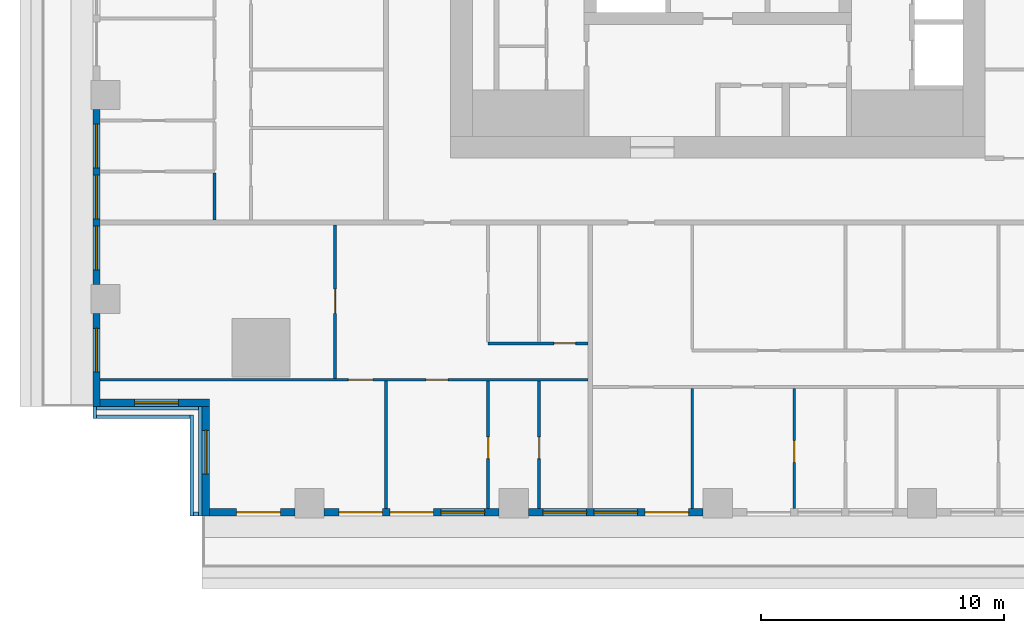
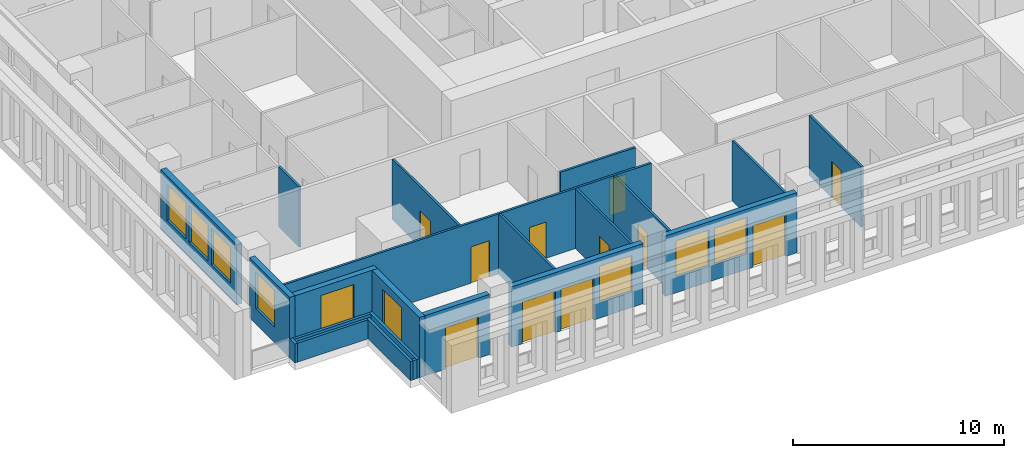
# One storey, part 2 of 17: 22 walls, 11 doors, 9 windows, 20 openings.
"""IFC4 building model written with IfcOpenShell, lengths in metres."""

from ifc_helpers import new_model, si_unit, direction, frame, frame_2d, origin, place, context, subcontext, project, spatial, rectangle, extrude, material, layer, layer_set, type_object, element, fill, save


model = new_model("IFC4")

# Units and contexts
model_context = context("Model", 3, precision=1e-05, world=origin(), true_north=direction((0.0, 1.0)))
body_context = subcontext(model_context, "Body", "Model", "MODEL_VIEW")
ifc_project = project(units=[si_unit("LENGTHUNIT", "METRE"), si_unit("AREAUNIT", "SQUARE_METRE"), si_unit("VOLUMEUNIT", "CUBIC_METRE"), si_unit("PLANEANGLEUNIT", "RADIAN"), si_unit("MASSUNIT", "GRAM", prefix="KILO")], contexts=[model_context])

# Site, building, storey
site_placement = place(None, origin())
site = spatial("IfcSite", under=ifc_project, at=site_placement, CompositionType="ELEMENT")
building_placement = place(site_placement, origin())
building = spatial("IfcBuilding", under=site, at=building_placement, Name="Khepri Terraces", CompositionType="ELEMENT")
storey_placement = place(building_placement, frame((0.0, 0.0, 188.39990234375)))
storey = spatial("IfcBuildingStorey", under=building, at=storey_placement, Name="L44", CompositionType="ELEMENT", Elevation=188.39990234375)

# Wall, openings, windows
ifc_material_1 = material(Name="Precast concrete C50/60 warm stone", Category="masonry")
ifc_layer_1 = layer(ifc_material_1, 0.300048828125, Name="Precast concrete C50/60 warm stone", Category="masonry")
ifc_layer_set_1 = layer_set([ifc_layer_1], Name="Precast concrete C50/60 warm stone")
wall_type_1 = type_object("IfcWallType", Name="WL-EXT-PRECAST-300", PredefinedType="STANDARD", material=ifc_layer_set_1)
wall_1_placement = place(storey_placement, frame((-25.570068359375, -9.0, 0.0), z_axis=(0.0, 0.0, 1.0), x_axis=(0.0, -1.0, 0.0)))
wall_1 = element("IfcWall", 1, at=wall_1_placement, inside=storey, type_object=wall_type_1, Name="External wall L44 W", PredefinedType="STANDARD", context=body_context, shape_type="SweptSolid", body=[
    extrude(rectangle(XDim=7.199951171875, YDim=0.300048828125, at=frame_2d((3.60009765625, 0.0))), origin(), (0.0, 0.0, 1.0), 3.47998046875),
])
opening_1_placement = place(wall_1_placement, frame((0.60009765625, 0.0, 0.89990234375)))
opening_1 = element("IfcOpeningElement", 2, at=opening_1_placement, cuts=wall_1, Name="Opening W1", PredefinedType="OPENING", context=body_context, shape_type="SweptSolid", body=[
    extrude(rectangle(XDim=1.800048828125, YDim=2.10009765625, at=frame_2d((0.89990234375, 1.050048828125))), frame((0.0, 0.16015625, 0.0), z_axis=(0.0, -1.0, 0.0), x_axis=(1.0, 0.0, 0.0)), (0.0, 0.0, 1.0), 0.320068359375),
])
opening_2_placement = place(wall_1_placement, frame((2.699951171875, 0.0, 0.89990234375)))
opening_2 = element("IfcOpeningElement", 3, at=opening_2_placement, cuts=wall_1, Name="Opening W1", PredefinedType="OPENING", context=body_context, shape_type="SweptSolid", body=[
    extrude(rectangle(XDim=1.800048828125, YDim=2.10009765625, at=frame_2d((0.89990234375, 1.050048828125))), frame((0.0, 0.16015625, 0.0), z_axis=(0.0, -1.0, 0.0), x_axis=(1.0, 0.0, 0.0)), (0.0, 0.0, 1.0), 0.320068359375),
])
opening_3_placement = place(wall_1_placement, frame((4.800048828125, 0.0, 0.89990234375)))
opening_3 = element("IfcOpeningElement", 4, at=opening_3_placement, cuts=wall_1, Name="Opening W1", PredefinedType="OPENING", context=body_context, shape_type="SweptSolid", body=[
    extrude(rectangle(XDim=1.800048828125, YDim=2.10009765625, at=frame_2d((0.89990234375, 1.050048828125))), frame((0.0, 0.16015625, 0.0), z_axis=(0.0, -1.0, 0.0), x_axis=(1.0, 0.0, 0.0)), (0.0, 0.0, 1.0), 0.320068359375),
])
ifc_material_2 = material(Name="Clear glass", Category="glass")
window_type = type_object("IfcWindowType", Name="WIN-RES-1800x2100", PartitioningType="SINGLE_PANEL", PredefinedType="WINDOW", material=ifc_material_2)
window_1_placement = place(opening_1_placement, origin())
window_1 = element("IfcWindow", 5, at=window_1_placement, inside=storey, type_object=window_type, Name="Window L44 W", OverallHeight=2.10009765625, OverallWidth=1.800048828125, PartitioningType="SINGLE_PANEL", PredefinedType="WINDOW", context=body_context, shape_type="SweptSolid", body=[
    extrude(rectangle(XDim=1.800048828125, YDim=2.10009765625, at=frame_2d((0.89990234375, 1.050048828125))), frame((0.0, 0.030029296875, 0.0), z_axis=(0.0, -1.0, 0.0), x_axis=(1.0, 0.0, 0.0)), (0.0, 0.0, 1.0), 0.06005859375),
])
fill(opening_1, window_1)
window_2_placement = place(opening_2_placement, origin())
window_2 = element("IfcWindow", 6, at=window_2_placement, inside=storey, type_object=window_type, Name="Window L44 W", OverallHeight=2.10009765625, OverallWidth=1.800048828125, PartitioningType="SINGLE_PANEL", PredefinedType="WINDOW", context=body_context, shape_type="SweptSolid", body=[
    extrude(rectangle(XDim=1.800048828125, YDim=2.10009765625, at=frame_2d((0.89990234375, 1.050048828125))), frame((0.0, 0.030029296875, 0.0), z_axis=(0.0, -1.0, 0.0), x_axis=(1.0, 0.0, 0.0)), (0.0, 0.0, 1.0), 0.06005859375),
])
fill(opening_2, window_2)
window_3_placement = place(opening_3_placement, origin())
window_3 = element("IfcWindow", 7, at=window_3_placement, inside=storey, type_object=window_type, Name="Window L44 W", OverallHeight=2.10009765625, OverallWidth=1.800048828125, PartitioningType="SINGLE_PANEL", PredefinedType="WINDOW", context=body_context, shape_type="SweptSolid", body=[
    extrude(rectangle(XDim=1.800048828125, YDim=2.10009765625, at=frame_2d((0.89990234375, 1.050048828125))), frame((0.0, 0.030029296875, 0.0), z_axis=(0.0, -1.0, 0.0), x_axis=(1.0, 0.0, 0.0)), (0.0, 0.0, 1.0), 0.06005859375),
])
fill(opening_3, window_3)

# Wall, opening, window
wall_2_placement = place(storey_placement, frame((-25.570068359375, -17.39990234375, 0.0), z_axis=(0.0, 0.0, 1.0), x_axis=(0.0, -1.0, 0.0)))
wall_2 = element("IfcWall", 8, at=wall_2_placement, inside=storey, type_object=wall_type_1, Name="External wall L44 W", PredefinedType="STANDARD", context=body_context, shape_type="SweptSolid", body=[
    extrude(rectangle(XDim=3.820068359375, YDim=0.300048828125, at=frame_2d((1.91015625, 0.0))), origin(), (0.0, 0.0, 1.0), 3.47998046875),
])
opening_4_placement = place(wall_2_placement, frame((0.60009765625, 0.0, 0.89990234375)))
opening_4 = element("IfcOpeningElement", 9, at=opening_4_placement, cuts=wall_2, Name="Opening W1", PredefinedType="OPENING", context=body_context, shape_type="SweptSolid", body=[
    extrude(rectangle(XDim=1.800048828125, YDim=2.10009765625, at=frame_2d((0.89990234375, 1.050048828125))), frame((0.0, 0.16015625, 0.0), z_axis=(0.0, -1.0, 0.0), x_axis=(1.0, 0.0, 0.0)), (0.0, 0.0, 1.0), 0.320068359375),
])
window_4_placement = place(opening_4_placement, origin())
window_4 = element("IfcWindow", 10, at=window_4_placement, inside=storey, type_object=window_type, Name="Window L44 W", OverallHeight=2.10009765625, OverallWidth=1.800048828125, PartitioningType="SINGLE_PANEL", PredefinedType="WINDOW", context=body_context, shape_type="SweptSolid", body=[
    extrude(rectangle(XDim=1.800048828125, YDim=2.10009765625, at=frame_2d((0.89990234375, 1.050048828125))), frame((0.0, 0.030029296875, 0.0), z_axis=(0.0, -1.0, 0.0), x_axis=(1.0, 0.0, 0.0)), (0.0, 0.0, 1.0), 0.06005859375),
])
fill(opening_4, window_4)

wall_3_placement = place(storey_placement, frame((-25.419921875, -21.070068359375, 0.0), z_axis=(0.0, 0.0, 1.0), x_axis=(1.0, 0.0, 0.0)))
wall_3 = element("IfcWall", 11, at=wall_3_placement, inside=storey, type_object=wall_type_1, Name="External wall L44 S", PredefinedType="STANDARD", context=body_context, shape_type="SweptSolid", body=[
    extrude(rectangle(XDim=4.5, YDim=0.300048828125, at=frame_2d((2.25, 0.0))), origin(), (0.0, 0.0, 1.0), 3.47998046875),
])
opening_5_placement = place(wall_3_placement, frame((1.419921875, 0.0, 0.89990234375)))
opening_5 = element("IfcOpeningElement", 12, at=opening_5_placement, cuts=wall_3, Name="Opening W1", PredefinedType="OPENING", context=body_context, shape_type="SweptSolid", body=[
    extrude(rectangle(XDim=1.800048828125, YDim=2.10009765625, at=frame_2d((0.89990234375, 1.050048828125))), frame((0.0, 0.16015625, 0.0), z_axis=(0.0, -1.0, 0.0), x_axis=(1.0, 0.0, 0.0)), (0.0, 0.0, 1.0), 0.320068359375),
])
window_5_placement = place(opening_5_placement, origin())
window_5 = element("IfcWindow", 13, at=window_5_placement, inside=storey, type_object=window_type, Name="Window L44 S", OverallHeight=2.10009765625, OverallWidth=1.800048828125, PartitioningType="SINGLE_PANEL", PredefinedType="WINDOW", context=body_context, shape_type="SweptSolid", body=[
    extrude(rectangle(XDim=1.800048828125, YDim=2.10009765625, at=frame_2d((0.89990234375, 1.050048828125))), frame((0.0, 0.030029296875, 0.0), z_axis=(0.0, -1.0, 0.0), x_axis=(1.0, 0.0, 0.0)), (0.0, 0.0, 1.0), 0.06005859375),
])
fill(opening_5, window_5)

wall_4_placement = place(storey_placement, frame((-21.070068359375, -21.219970703125, 0.0), z_axis=(0.0, 0.0, 1.0), x_axis=(0.0, -1.0, 0.0)))
wall_4 = element("IfcWall", 14, at=wall_4_placement, inside=storey, type_object=wall_type_1, Name="External wall L44 W", PredefinedType="STANDARD", context=body_context, shape_type="SweptSolid", body=[
    extrude(rectangle(XDim=4.5, YDim=0.300048828125, at=frame_2d((2.25, 0.0))), origin(), (0.0, 0.0, 1.0), 3.47998046875),
])
opening_6_placement = place(wall_4_placement, frame((0.97998046875, 0.0, 0.89990234375)))
opening_6 = element("IfcOpeningElement", 15, at=opening_6_placement, cuts=wall_4, Name="Opening W1", PredefinedType="OPENING", context=body_context, shape_type="SweptSolid", body=[
    extrude(rectangle(XDim=1.800048828125, YDim=2.10009765625, at=frame_2d((0.89990234375, 1.050048828125))), frame((0.0, 0.16015625, 0.0), z_axis=(0.0, -1.0, 0.0), x_axis=(1.0, 0.0, 0.0)), (0.0, 0.0, 1.0), 0.320068359375),
])
window_6_placement = place(opening_6_placement, origin())
window_6 = element("IfcWindow", 16, at=window_6_placement, inside=storey, type_object=window_type, Name="Window L44 W", OverallHeight=2.10009765625, OverallWidth=1.800048828125, PartitioningType="SINGLE_PANEL", PredefinedType="WINDOW", context=body_context, shape_type="SweptSolid", body=[
    extrude(rectangle(XDim=1.800048828125, YDim=2.10009765625, at=frame_2d((0.89990234375, 1.050048828125))), frame((0.0, 0.030029296875, 0.0), z_axis=(0.0, -1.0, 0.0), x_axis=(1.0, 0.0, 0.0)), (0.0, 0.0, 1.0), 0.06005859375),
])
fill(opening_6, window_6)

# Wall, opening, door
wall_5_placement = place(storey_placement, frame((-20.919921875, -25.570068359375, 0.0), z_axis=(0.0, 0.0, 1.0), x_axis=(1.0, 0.0, 0.0)))
wall_5 = element("IfcWall", 17, at=wall_5_placement, inside=storey, type_object=wall_type_1, Name="External wall L44 S", PredefinedType="STANDARD", context=body_context, shape_type="SweptSolid", body=[
    extrude(rectangle(XDim=3.52001953125, YDim=0.300048828125, at=frame_2d((1.760009765625, 0.0))), origin(), (0.0, 0.0, 1.0), 3.47998046875),
])
opening_7_placement = place(wall_5_placement, frame((1.1201171875, 0.0, 0.0)))
opening_7 = element("IfcOpeningElement", 18, at=opening_7_placement, cuts=wall_5, Name="Opening ED-L44-17", PredefinedType="OPENING", context=body_context, shape_type="SweptSolid", body=[
    extrude(rectangle(XDim=1.800048828125, YDim=2.39990234375, at=frame_2d((0.89990234375, 1.199951171875))), frame((0.0, 0.16015625, 0.0), z_axis=(0.0, -1.0, 0.0), x_axis=(1.0, 0.0, 0.0)), (0.0, 0.0, 1.0), 0.320068359375),
])
ifc_material_3 = material(Name="Anodised aluminium bronze glazed door", Category="aluminium")
door_type_1 = type_object("IfcDoorType", Name="DR-BAL-SLIDE-1800x2400", OperationType="NOTDEFINED", PredefinedType="DOOR", material=ifc_material_3)
door_1_placement = place(opening_7_placement, origin())
door_1 = element("IfcDoor", 19, at=door_1_placement, inside=storey, type_object=door_type_1, Name="Balcony door L44 S", OperationType="SLIDING_TO_RIGHT", OverallHeight=2.39990234375, OverallWidth=1.800048828125, PredefinedType="DOOR", context=body_context, shape_type="SweptSolid", body=[
    extrude(rectangle(XDim=1.800048828125, YDim=2.39990234375, at=frame_2d((0.89990234375, 1.199951171875))), frame((0.0, 0.02490234375, 0.0), z_axis=(0.0, -1.0, 0.0), x_axis=(1.0, 0.0, 0.0)), (0.0, 0.0, 1.0), 0.050048828125),
])
fill(opening_7, door_1)

# Wall, openings, doors, window
wall_6_placement = place(storey_placement, frame((-16.199951171875, -25.570068359375, 0.0), z_axis=(0.0, 0.0, 1.0), x_axis=(1.0, 0.0, 0.0)))
wall_6 = element("IfcWall", 20, at=wall_6_placement, inside=storey, type_object=wall_type_1, Name="External wall L44 S", PredefinedType="STANDARD", context=body_context, shape_type="SweptSolid", body=[
    extrude(rectangle(XDim=7.199951171875, YDim=0.300048828125, at=frame_2d((3.60009765625, 0.0))), origin(), (0.0, 0.0, 1.0), 3.47998046875),
])
opening_8_placement = place(wall_6_placement, frame((0.60009765625, 0.0, 0.0)))
opening_8 = element("IfcOpeningElement", 21, at=opening_8_placement, cuts=wall_6, Name="Opening ED-L44-18", PredefinedType="OPENING", context=body_context, shape_type="SweptSolid", body=[
    extrude(rectangle(XDim=1.800048828125, YDim=2.39990234375, at=frame_2d((0.89990234375, 1.199951171875))), frame((0.0, 0.16015625, 0.0), z_axis=(0.0, -1.0, 0.0), x_axis=(1.0, 0.0, 0.0)), (0.0, 0.0, 1.0), 0.320068359375),
])
opening_9_placement = place(wall_6_placement, frame((2.699951171875, 0.0, 0.0)))
opening_9 = element("IfcOpeningElement", 22, at=opening_9_placement, cuts=wall_6, Name="Opening ED-L44-19", PredefinedType="OPENING", context=body_context, shape_type="SweptSolid", body=[
    extrude(rectangle(XDim=1.800048828125, YDim=2.39990234375, at=frame_2d((0.89990234375, 1.199951171875))), frame((0.0, 0.16015625, 0.0), z_axis=(0.0, -1.0, 0.0), x_axis=(1.0, 0.0, 0.0)), (0.0, 0.0, 1.0), 0.320068359375),
])
opening_10_placement = place(wall_6_placement, frame((4.800048828125, 0.0, 0.89990234375)))
opening_10 = element("IfcOpeningElement", 23, at=opening_10_placement, cuts=wall_6, Name="Opening W1", PredefinedType="OPENING", context=body_context, shape_type="SweptSolid", body=[
    extrude(rectangle(XDim=1.800048828125, YDim=2.10009765625, at=frame_2d((0.89990234375, 1.050048828125))), frame((0.0, 0.16015625, 0.0), z_axis=(0.0, -1.0, 0.0), x_axis=(1.0, 0.0, 0.0)), (0.0, 0.0, 1.0), 0.320068359375),
])
door_2_placement = place(opening_8_placement, origin())
door_2 = element("IfcDoor", 24, at=door_2_placement, inside=storey, type_object=door_type_1, Name="Balcony door L44 S", OperationType="SLIDING_TO_LEFT", OverallHeight=2.39990234375, OverallWidth=1.800048828125, PredefinedType="DOOR", context=body_context, shape_type="SweptSolid", body=[
    extrude(rectangle(XDim=1.800048828125, YDim=2.39990234375, at=frame_2d((0.89990234375, 1.199951171875))), frame((0.0, 0.02490234375, 0.0), z_axis=(0.0, -1.0, 0.0), x_axis=(1.0, 0.0, 0.0)), (0.0, 0.0, 1.0), 0.050048828125),
])
fill(opening_8, door_2)
door_3_placement = place(opening_9_placement, origin())
door_3 = element("IfcDoor", 25, at=door_3_placement, inside=storey, type_object=door_type_1, Name="Balcony door L44 S", OperationType="SLIDING_TO_RIGHT", OverallHeight=2.39990234375, OverallWidth=1.800048828125, PredefinedType="DOOR", context=body_context, shape_type="SweptSolid", body=[
    extrude(rectangle(XDim=1.800048828125, YDim=2.39990234375, at=frame_2d((0.89990234375, 1.199951171875))), frame((0.0, 0.02490234375, 0.0), z_axis=(0.0, -1.0, 0.0), x_axis=(1.0, 0.0, 0.0)), (0.0, 0.0, 1.0), 0.050048828125),
])
fill(opening_9, door_3)
window_7_placement = place(opening_10_placement, origin())
window_7 = element("IfcWindow", 26, at=window_7_placement, inside=storey, type_object=window_type, Name="Window L44 S", OverallHeight=2.10009765625, OverallWidth=1.800048828125, PartitioningType="SINGLE_PANEL", PredefinedType="WINDOW", context=body_context, shape_type="SweptSolid", body=[
    extrude(rectangle(XDim=1.800048828125, YDim=2.10009765625, at=frame_2d((0.89990234375, 1.050048828125))), frame((0.0, 0.030029296875, 0.0), z_axis=(0.0, -1.0, 0.0), x_axis=(1.0, 0.0, 0.0)), (0.0, 0.0, 1.0), 0.06005859375),
])
fill(opening_10, window_7)

# Wall, openings, door, windows
wall_7_placement = place(storey_placement, frame((-7.800048828125, -25.570068359375, 0.0), z_axis=(0.0, 0.0, 1.0), x_axis=(1.0, 0.0, 0.0)))
wall_7 = element("IfcWall", 27, at=wall_7_placement, inside=storey, type_object=wall_type_1, Name="External wall L44 S", PredefinedType="STANDARD", context=body_context, shape_type="SweptSolid", body=[
    extrude(rectangle(XDim=7.199951171875, YDim=0.300048828125, at=frame_2d((3.60009765625, 0.0))), origin(), (0.0, 0.0, 1.0), 3.47998046875),
])
opening_11_placement = place(wall_7_placement, frame((0.60009765625, 0.0, 0.89990234375)))
opening_11 = element("IfcOpeningElement", 28, at=opening_11_placement, cuts=wall_7, Name="Opening W1", PredefinedType="OPENING", context=body_context, shape_type="SweptSolid", body=[
    extrude(rectangle(XDim=1.800048828125, YDim=2.10009765625, at=frame_2d((0.89990234375, 1.050048828125))), frame((0.0, 0.16015625, 0.0), z_axis=(0.0, -1.0, 0.0), x_axis=(1.0, 0.0, 0.0)), (0.0, 0.0, 1.0), 0.320068359375),
])
opening_12_placement = place(wall_7_placement, frame((2.699951171875, 0.0, 0.89990234375)))
opening_12 = element("IfcOpeningElement", 29, at=opening_12_placement, cuts=wall_7, Name="Opening W1", PredefinedType="OPENING", context=body_context, shape_type="SweptSolid", body=[
    extrude(rectangle(XDim=1.800048828125, YDim=2.10009765625, at=frame_2d((0.89990234375, 1.050048828125))), frame((0.0, 0.16015625, 0.0), z_axis=(0.0, -1.0, 0.0), x_axis=(1.0, 0.0, 0.0)), (0.0, 0.0, 1.0), 0.320068359375),
])
opening_13_placement = place(wall_7_placement, frame((4.800048828125, 0.0, 0.0)))
opening_13 = element("IfcOpeningElement", 30, at=opening_13_placement, cuts=wall_7, Name="Opening ED-L44-20", PredefinedType="OPENING", context=body_context, shape_type="SweptSolid", body=[
    extrude(rectangle(XDim=1.800048828125, YDim=2.39990234375, at=frame_2d((0.89990234375, 1.199951171875))), frame((0.0, 0.16015625, 0.0), z_axis=(0.0, -1.0, 0.0), x_axis=(1.0, 0.0, 0.0)), (0.0, 0.0, 1.0), 0.320068359375),
])
door_4_placement = place(opening_13_placement, origin())
door_4 = element("IfcDoor", 31, at=door_4_placement, inside=storey, type_object=door_type_1, Name="Balcony door L44 S", OperationType="SLIDING_TO_RIGHT", OverallHeight=2.39990234375, OverallWidth=1.800048828125, PredefinedType="DOOR", context=body_context, shape_type="SweptSolid", body=[
    extrude(rectangle(XDim=1.800048828125, YDim=2.39990234375, at=frame_2d((0.89990234375, 1.199951171875))), frame((0.0, 0.02490234375, 0.0), z_axis=(0.0, -1.0, 0.0), x_axis=(1.0, 0.0, 0.0)), (0.0, 0.0, 1.0), 0.050048828125),
])
fill(opening_13, door_4)
window_8_placement = place(opening_11_placement, origin())
window_8 = element("IfcWindow", 32, at=window_8_placement, inside=storey, type_object=window_type, Name="Window L44 S", OverallHeight=2.10009765625, OverallWidth=1.800048828125, PartitioningType="SINGLE_PANEL", PredefinedType="WINDOW", context=body_context, shape_type="SweptSolid", body=[
    extrude(rectangle(XDim=1.800048828125, YDim=2.10009765625, at=frame_2d((0.89990234375, 1.050048828125))), frame((0.0, 0.030029296875, 0.0), z_axis=(0.0, -1.0, 0.0), x_axis=(1.0, 0.0, 0.0)), (0.0, 0.0, 1.0), 0.06005859375),
])
fill(opening_11, window_8)
window_9_placement = place(opening_12_placement, origin())
window_9 = element("IfcWindow", 33, at=window_9_placement, inside=storey, type_object=window_type, Name="Window L44 S", OverallHeight=2.10009765625, OverallWidth=1.800048828125, PartitioningType="SINGLE_PANEL", PredefinedType="WINDOW", context=body_context, shape_type="SweptSolid", body=[
    extrude(rectangle(XDim=1.800048828125, YDim=2.10009765625, at=frame_2d((0.89990234375, 1.050048828125))), frame((0.0, 0.030029296875, 0.0), z_axis=(0.0, -1.0, 0.0), x_axis=(1.0, 0.0, 0.0)), (0.0, 0.0, 1.0), 0.06005859375),
])
fill(opening_12, window_9)

# Walls
ifc_layer_2 = layer(ifc_material_1, 0.14990234375, Name="Precast concrete C50/60 warm stone", Category="masonry")
ifc_layer_set_2 = layer_set([ifc_layer_2], Name="Precast concrete C50/60 warm stone")
wall_type_2 = type_object("IfcWallType", Name="WL-PARAPET-150", PredefinedType="PARAPET", material=ifc_layer_set_2)
wall_8_placement = place(storey_placement, frame((-25.64501953125, -21.719970703125, 0.0), z_axis=(0.0, 0.0, 1.0), x_axis=(0.0, 1.0, 0.0)))
element("IfcWall", 34, at=wall_8_placement, inside=storey, type_object=wall_type_2, Name="Ledge parapet L44", PredefinedType="PARAPET", context=body_context, shape_type="SweptSolid", body=[
    extrude(rectangle(XDim=0.5, YDim=0.14990234375, at=frame_2d((0.25, 0.0))), origin(), (0.0, 0.0, 1.0), 1.10009765625),
])
wall_9_placement = place(storey_placement, frame((-25.570068359375, -21.64501953125, 0.0), z_axis=(0.0, 0.0, 1.0), x_axis=(1.0, 0.0, 0.0)))
element("IfcWall", 35, at=wall_9_placement, inside=storey, type_object=wall_type_2, Name="Ledge parapet L44", PredefinedType="PARAPET", context=body_context, shape_type="SweptSolid", body=[
    extrude(rectangle(XDim=3.85009765625, YDim=0.14990234375, at=frame_2d((1.925048828125, 0.0))), origin(), (0.0, 0.0, 1.0), 1.10009765625),
])
wall_10_placement = place(storey_placement, frame((-25.570068359375, -21.294921875, 0.0), z_axis=(0.0, 0.0, 1.0), x_axis=(1.0, 0.0, 0.0)))
element("IfcWall", 36, at=wall_10_placement, inside=storey, type_object=wall_type_2, Name="Ledge parapet L44", PredefinedType="PARAPET", context=body_context, shape_type="SweptSolid", body=[
    extrude(rectangle(XDim=4.199951171875, YDim=0.14990234375, at=frame_2d((2.10009765625, 0.0))), origin(), (0.0, 0.0, 1.0), 1.10009765625),
])
wall_11_placement = place(storey_placement, frame((-21.64501953125, -25.719970703125, 0.0), z_axis=(0.0, 0.0, 1.0), x_axis=(0.0, 1.0, 0.0)))
element("IfcWall", 37, at=wall_11_placement, inside=storey, type_object=wall_type_2, Name="Ledge parapet L44", PredefinedType="PARAPET", context=body_context, shape_type="SweptSolid", body=[
    extrude(rectangle(XDim=4.14990234375, YDim=0.14990234375, at=frame_2d((2.074951171875, 0.0))), origin(), (0.0, 0.0, 1.0), 1.10009765625),
])
wall_12_placement = place(storey_placement, frame((-21.570068359375, -25.64501953125, 0.0), z_axis=(0.0, 0.0, 1.0), x_axis=(1.0, 0.0, 0.0)))
element("IfcWall", 38, at=wall_12_placement, inside=storey, type_object=wall_type_2, Name="Ledge parapet L44", PredefinedType="PARAPET", context=body_context, shape_type="SweptSolid", body=[
    extrude(rectangle(XDim=0.199951171875, YDim=0.14990234375, at=frame_2d((0.10009765625, 0.0))), origin(), (0.0, 0.0, 1.0), 1.10009765625),
])
wall_13_placement = place(storey_placement, frame((-21.294921875, -25.719970703125, 0.0), z_axis=(0.0, 0.0, 1.0), x_axis=(0.0, 1.0, 0.0)))
element("IfcWall", 39, at=wall_13_placement, inside=storey, type_object=wall_type_2, Name="Ledge parapet L44", PredefinedType="PARAPET", context=body_context, shape_type="SweptSolid", body=[
    extrude(rectangle(XDim=4.5, YDim=0.14990234375, at=frame_2d((2.25, 0.0))), origin(), (0.0, 0.0, 1.0), 1.10009765625),
])
ifc_material_4 = material(Name="Gypsum plasterboard partition")
ifc_layer_3 = layer(ifc_material_4, 0.1201171875, Name="Gypsum plasterboard partition")
ifc_layer_set_3 = layer_set([ifc_layer_3], Name="Gypsum plasterboard partition")
wall_type_3 = type_object("IfcWallType", Name="WL-PART-120", PredefinedType="PARTITIONING", material=ifc_layer_set_3)
wall_14_placement = place(storey_placement, frame((-13.64990234375, -25.419921875, 0.0), z_axis=(0.0, 0.0, 1.0), x_axis=(0.0, 1.0, 0.0)))
element("IfcWall", 40, at=wall_14_placement, inside=storey, type_object=wall_type_3, Name="Partition P-001 L44", PredefinedType="PARTITIONING", context=body_context, shape_type="SweptSolid", body=[
    extrude(rectangle(XDim=5.239990234375, YDim=0.1201171875, at=frame_2d((2.6201171875, 0.0))), origin(), (0.0, 0.0, 1.0), 3.47998046875),
])

# Wall, opening, door
wall_15_placement = place(storey_placement, frame((-9.449951171875, -25.419921875, 0.0), z_axis=(0.0, 0.0, 1.0), x_axis=(0.0, 1.0, 0.0)))
wall_15 = element("IfcWall", 41, at=wall_15_placement, inside=storey, type_object=wall_type_3, Name="Partition P-002 L44", PredefinedType="PARTITIONING", context=body_context, shape_type="SweptSolid", body=[
    extrude(rectangle(XDim=5.239990234375, YDim=0.1201171875, at=frame_2d((2.6201171875, 0.0))), origin(), (0.0, 0.0, 1.0), 3.47998046875),
])
opening_14_placement = place(wall_15_placement, frame((2.050048828125, 0.0, 0.0)))
opening_14 = element("IfcOpeningElement", 42, at=opening_14_placement, cuts=wall_15, Name="Opening D3", PredefinedType="OPENING", context=body_context, shape_type="SweptSolid", body=[
    extrude(rectangle(XDim=0.89990234375, YDim=2.10009765625, at=frame_2d((0.449951171875, 1.050048828125))), frame((0.0, 0.070068359375, 0.0), z_axis=(0.0, -1.0, 0.0), x_axis=(1.0, 0.0, 0.0)), (0.0, 0.0, 1.0), 0.14013671875),
])
ifc_material_5 = material(Name="Timber door leaf", Category="wood")
door_type_2 = type_object("IfcDoorType", Name="DR-INT-900", OperationType="NOTDEFINED", PredefinedType="DOOR", material=ifc_material_5)
door_5_placement = place(opening_14_placement, frame((0.89990234375, 0.0, 0.0), z_axis=(0.0, 0.0, 1.0), x_axis=(-1.0, 0.0, 0.0)))
door_5 = element("IfcDoor", 43, at=door_5_placement, inside=storey, type_object=door_type_2, Name="Door Dressing Room", OperationType="SINGLE_SWING_RIGHT", OverallHeight=2.10009765625, OverallWidth=0.89990234375, PredefinedType="DOOR", context=body_context, shape_type="SweptSolid", body=[
    extrude(rectangle(XDim=0.89990234375, YDim=2.10009765625, at=frame_2d((0.449951171875, 1.050048828125))), frame((0.0, 0.02490234375, 0.0), z_axis=(0.0, -1.0, 0.0), x_axis=(1.0, 0.0, 0.0)), (0.0, 0.0, 1.0), 0.050048828125),
])
fill(opening_14, door_5)

wall_16_placement = place(storey_placement, frame((-7.35009765625, -25.419921875, 0.0), z_axis=(0.0, 0.0, 1.0), x_axis=(0.0, 1.0, 0.0)))
wall_16 = element("IfcWall", 44, at=wall_16_placement, inside=storey, type_object=wall_type_3, Name="Partition P-003 L44", PredefinedType="PARTITIONING", context=body_context, shape_type="SweptSolid", body=[
    extrude(rectangle(XDim=5.239990234375, YDim=0.1201171875, at=frame_2d((2.6201171875, 0.0))), origin(), (0.0, 0.0, 1.0), 3.47998046875),
])
opening_15_placement = place(wall_16_placement, frame((2.050048828125, 0.0, 0.0)))
opening_15 = element("IfcOpeningElement", 45, at=opening_15_placement, cuts=wall_16, Name="Opening D4", PredefinedType="OPENING", context=body_context, shape_type="SweptSolid", body=[
    extrude(rectangle(XDim=0.89990234375, YDim=2.10009765625, at=frame_2d((0.449951171875, 1.050048828125))), frame((0.0, 0.070068359375, 0.0), z_axis=(0.0, -1.0, 0.0), x_axis=(1.0, 0.0, 0.0)), (0.0, 0.0, 1.0), 0.14013671875),
])
ifc_material_6 = material(Name="Timber door leaf, moisture resistant", Category="wood")
door_type_3 = type_object("IfcDoorType", Name="DR-WET-900", OperationType="NOTDEFINED", PredefinedType="DOOR", material=ifc_material_6)
door_6_placement = place(opening_15_placement, frame((0.89990234375, 0.0, 0.0), z_axis=(0.0, 0.0, 1.0), x_axis=(-1.0, 0.0, 0.0)))
door_6 = element("IfcDoor", 46, at=door_6_placement, inside=storey, type_object=door_type_3, Name="Door Bathroom", OperationType="SINGLE_SWING_RIGHT", OverallHeight=2.10009765625, OverallWidth=0.89990234375, PredefinedType="DOOR", context=body_context, shape_type="SweptSolid", body=[
    extrude(rectangle(XDim=0.89990234375, YDim=2.10009765625, at=frame_2d((0.449951171875, 1.050048828125))), frame((0.0, 0.02490234375, 0.0), z_axis=(0.0, -1.0, 0.0), x_axis=(1.0, 0.0, 0.0)), (0.0, 0.0, 1.0), 0.050048828125),
])
fill(opening_15, door_6)

# Wall
wall_17_placement = place(storey_placement, frame((-1.050048828125, -25.419921875, 0.0), z_axis=(0.0, 0.0, 1.0), x_axis=(0.0, 1.0, 0.0)))
element("IfcWall", 47, at=wall_17_placement, inside=storey, type_object=wall_type_3, Name="Partition P-005 L44", PredefinedType="PARTITIONING", context=body_context, shape_type="SweptSolid", body=[
    extrude(rectangle(XDim=4.93994140625, YDim=0.1201171875, at=frame_2d((2.469970703125, 0.0))), origin(), (0.0, 0.0, 1.0), 3.47998046875),
])

# Wall, opening, door
wall_18_placement = place(storey_placement, frame((3.14990234375, -25.419921875, 0.0), z_axis=(0.0, 0.0, 1.0), x_axis=(0.0, 1.0, 0.0)))
wall_18 = element("IfcWall", 48, at=wall_18_placement, inside=storey, type_object=wall_type_3, Name="Partition P-006 L44", PredefinedType="PARTITIONING", context=body_context, shape_type="SweptSolid", body=[
    extrude(rectangle(XDim=4.93994140625, YDim=0.1201171875, at=frame_2d((2.469970703125, 0.0))), origin(), (0.0, 0.0, 1.0), 3.47998046875),
])
opening_16_placement = place(wall_18_placement, frame((1.89990234375, 0.0, 0.0)))
opening_16 = element("IfcOpeningElement", 49, at=opening_16_placement, cuts=wall_18, Name="Opening D3", PredefinedType="OPENING", context=body_context, shape_type="SweptSolid", body=[
    extrude(rectangle(XDim=0.89990234375, YDim=2.10009765625, at=frame_2d((0.449951171875, 1.050048828125))), frame((0.0, 0.070068359375, 0.0), z_axis=(0.0, -1.0, 0.0), x_axis=(1.0, 0.0, 0.0)), (0.0, 0.0, 1.0), 0.14013671875),
])
door_7_placement = place(opening_16_placement, frame((0.89990234375, 0.0, 0.0), z_axis=(0.0, 0.0, 1.0), x_axis=(-1.0, 0.0, 0.0)))
door_7 = element("IfcDoor", 50, at=door_7_placement, inside=storey, type_object=door_type_2, Name="Door Dressing Room", OperationType="SINGLE_SWING_RIGHT", OverallHeight=2.10009765625, OverallWidth=0.89990234375, PredefinedType="DOOR", context=body_context, shape_type="SweptSolid", body=[
    extrude(rectangle(XDim=0.89990234375, YDim=2.10009765625, at=frame_2d((0.449951171875, 1.050048828125))), frame((0.0, 0.02490234375, 0.0), z_axis=(0.0, -1.0, 0.0), x_axis=(1.0, 0.0, 0.0)), (0.0, 0.0, 1.0), 0.050048828125),
])
fill(opening_16, door_7)

# Wall, openings, doors
wall_19_placement = place(storey_placement, frame((-25.419921875, -20.1201171875, 0.0), z_axis=(0.0, 0.0, 1.0), x_axis=(1.0, 0.0, 0.0)))
wall_19 = element("IfcWall", 51, at=wall_19_placement, inside=storey, type_object=wall_type_3, Name="Partition P-013 L44", PredefinedType="PARTITIONING", context=body_context, shape_type="SweptSolid", body=[
    extrude(rectangle(XDim=20.06982421875, YDim=0.1201171875, at=frame_2d((10.034912109375, 0.0))), origin(), (0.0, 0.0, 1.0), 3.47998046875),
])
opening_17_placement = place(wall_19_placement, frame((10.219970703125, 0.0, 0.0)))
opening_17 = element("IfcOpeningElement", 52, at=opening_17_placement, cuts=wall_19, Name="Opening D2", PredefinedType="OPENING", context=body_context, shape_type="SweptSolid", body=[
    extrude(rectangle(XDim=1.0, YDim=2.10009765625, at=frame_2d((0.5, 1.050048828125))), frame((0.0, 0.070068359375, 0.0), z_axis=(0.0, -1.0, 0.0), x_axis=(1.0, 0.0, 0.0)), (0.0, 0.0, 1.0), 0.14013671875),
])
opening_18_placement = place(wall_19_placement, frame((13.419921875, 0.0, 0.0)))
opening_18 = element("IfcOpeningElement", 53, at=opening_18_placement, cuts=wall_19, Name="Opening D3", PredefinedType="OPENING", context=body_context, shape_type="SweptSolid", body=[
    extrude(rectangle(XDim=0.89990234375, YDim=2.10009765625, at=frame_2d((0.449951171875, 1.050048828125))), frame((0.0, 0.070068359375, 0.0), z_axis=(0.0, -1.0, 0.0), x_axis=(1.0, 0.0, 0.0)), (0.0, 0.0, 1.0), 0.14013671875),
])
ifc_material_7 = material(Name="Timber door leaf, living room door", Category="wood")
door_type_4 = type_object("IfcDoorType", Name="DR-INT-1000", OperationType="NOTDEFINED", PredefinedType="DOOR", material=ifc_material_7)
door_8_placement = place(opening_17_placement, frame((1.0, 0.0, 0.0), z_axis=(0.0, 0.0, 1.0), x_axis=(-1.0, 0.0, 0.0)))
door_8 = element("IfcDoor", 54, at=door_8_placement, inside=storey, type_object=door_type_4, Name="Door Living Room", OperationType="SINGLE_SWING_LEFT", OverallHeight=2.10009765625, OverallWidth=1.0, PredefinedType="DOOR", context=body_context, shape_type="SweptSolid", body=[
    extrude(rectangle(XDim=1.0, YDim=2.10009765625, at=frame_2d((0.5, 1.050048828125))), frame((0.0, 0.02490234375, 0.0), z_axis=(0.0, -1.0, 0.0), x_axis=(1.0, 0.0, 0.0)), (0.0, 0.0, 1.0), 0.050048828125),
])
fill(opening_17, door_8)
door_9_placement = place(opening_18_placement, frame((0.89990234375, 0.0, 0.0), z_axis=(0.0, 0.0, 1.0), x_axis=(-1.0, 0.0, 0.0)))
door_9 = element("IfcDoor", 55, at=door_9_placement, inside=storey, type_object=door_type_2, Name="Door Master Bedroom", OperationType="SINGLE_SWING_LEFT", OverallHeight=2.10009765625, OverallWidth=0.89990234375, PredefinedType="DOOR", context=body_context, shape_type="SweptSolid", body=[
    extrude(rectangle(XDim=0.89990234375, YDim=2.10009765625, at=frame_2d((0.449951171875, 1.050048828125))), frame((0.0, 0.02490234375, 0.0), z_axis=(0.0, -1.0, 0.0), x_axis=(1.0, 0.0, 0.0)), (0.0, 0.0, 1.0), 0.050048828125),
])
fill(opening_18, door_9)

# Wall, opening, door
wall_20_placement = place(storey_placement, frame((-15.75, -20.06005859375, 0.0), z_axis=(0.0, 0.0, 1.0), x_axis=(0.0, 1.0, 0.0)))
wall_20 = element("IfcWall", 56, at=wall_20_placement, inside=storey, type_object=wall_type_3, Name="Partition P-014 L44", PredefinedType="PARTITIONING", context=body_context, shape_type="SweptSolid", body=[
    extrude(rectangle(XDim=6.31005859375, YDim=0.1201171875, at=frame_2d((3.155029296875, 0.0))), origin(), (0.0, 0.0, 1.0), 3.47998046875),
])
opening_19_placement = place(wall_20_placement, frame((2.675048828125, 0.0, 0.0)))
opening_19 = element("IfcOpeningElement", 57, at=opening_19_placement, cuts=wall_20, Name="Opening D2", PredefinedType="OPENING", context=body_context, shape_type="SweptSolid", body=[
    extrude(rectangle(XDim=1.0, YDim=2.10009765625, at=frame_2d((0.5, 1.050048828125))), frame((0.0, 0.070068359375, 0.0), z_axis=(0.0, -1.0, 0.0), x_axis=(1.0, 0.0, 0.0)), (0.0, 0.0, 1.0), 0.14013671875),
])
door_10_placement = place(opening_19_placement, origin())
door_10 = element("IfcDoor", 58, at=door_10_placement, inside=storey, type_object=door_type_4, Name="Door Family Room", OperationType="SINGLE_SWING_RIGHT", OverallHeight=2.10009765625, OverallWidth=1.0, PredefinedType="DOOR", context=body_context, shape_type="SweptSolid", body=[
    extrude(rectangle(XDim=1.0, YDim=2.10009765625, at=frame_2d((0.5, 1.050048828125))), frame((0.0, 0.02490234375, 0.0), z_axis=(0.0, -1.0, 0.0), x_axis=(1.0, 0.0, 0.0)), (0.0, 0.0, 1.0), 0.050048828125),
])
fill(opening_19, door_10)

wall_21_placement = place(storey_placement, frame((-9.449951171875, -18.6201171875, 0.0), z_axis=(0.0, 0.0, 1.0), x_axis=(1.0, 0.0, 0.0)))
wall_21 = element("IfcWall", 59, at=wall_21_placement, inside=storey, type_object=wall_type_3, Name="Partition P-020 L44", PredefinedType="PARTITIONING", context=body_context, shape_type="SweptSolid", body=[
    extrude(rectangle(XDim=4.099853515625, YDim=0.1201171875, at=frame_2d((2.0498046875, 0.0))), origin(), (0.0, 0.0, 1.0), 3.47998046875),
])
opening_20_placement = place(wall_21_placement, frame((2.699951171875, 0.0, 0.0)))
opening_20 = element("IfcOpeningElement", 60, at=opening_20_placement, cuts=wall_21, Name="Opening D3", PredefinedType="OPENING", context=body_context, shape_type="SweptSolid", body=[
    extrude(rectangle(XDim=0.89990234375, YDim=2.10009765625, at=frame_2d((0.449951171875, 1.050048828125))), frame((0.0, 0.070068359375, 0.0), z_axis=(0.0, -1.0, 0.0), x_axis=(1.0, 0.0, 0.0)), (0.0, 0.0, 1.0), 0.14013671875),
])
door_11_placement = place(opening_20_placement, origin())
door_11 = element("IfcDoor", 61, at=door_11_placement, inside=storey, type_object=door_type_2, Name="Door Kitchen", OperationType="SINGLE_SWING_RIGHT", OverallHeight=2.10009765625, OverallWidth=0.89990234375, PredefinedType="DOOR", context=body_context, shape_type="SweptSolid", body=[
    extrude(rectangle(XDim=0.89990234375, YDim=2.10009765625, at=frame_2d((0.449951171875, 1.050048828125))), frame((0.0, 0.02490234375, 0.0), z_axis=(0.0, -1.0, 0.0), x_axis=(1.0, 0.0, 0.0)), (0.0, 0.0, 1.0), 0.050048828125),
])
fill(opening_20, door_11)

# Wall
wall_22_placement = place(storey_placement, frame((-20.719970703125, -13.550048828125, 0.0), z_axis=(0.0, 0.0, 1.0), x_axis=(0.0, 1.0, 0.0)))
element("IfcWall", 62, at=wall_22_placement, inside=storey, type_object=wall_type_3, Name="Partition P-027 L44", PredefinedType="PARTITIONING", context=body_context, shape_type="SweptSolid", body=[
    extrude(rectangle(XDim=1.93994140625, YDim=0.1201171875, at=frame_2d((0.969970703125, 0.0))), origin(), (0.0, 0.0, 1.0), 3.47998046875),
])

save(model, "model.ifc")
